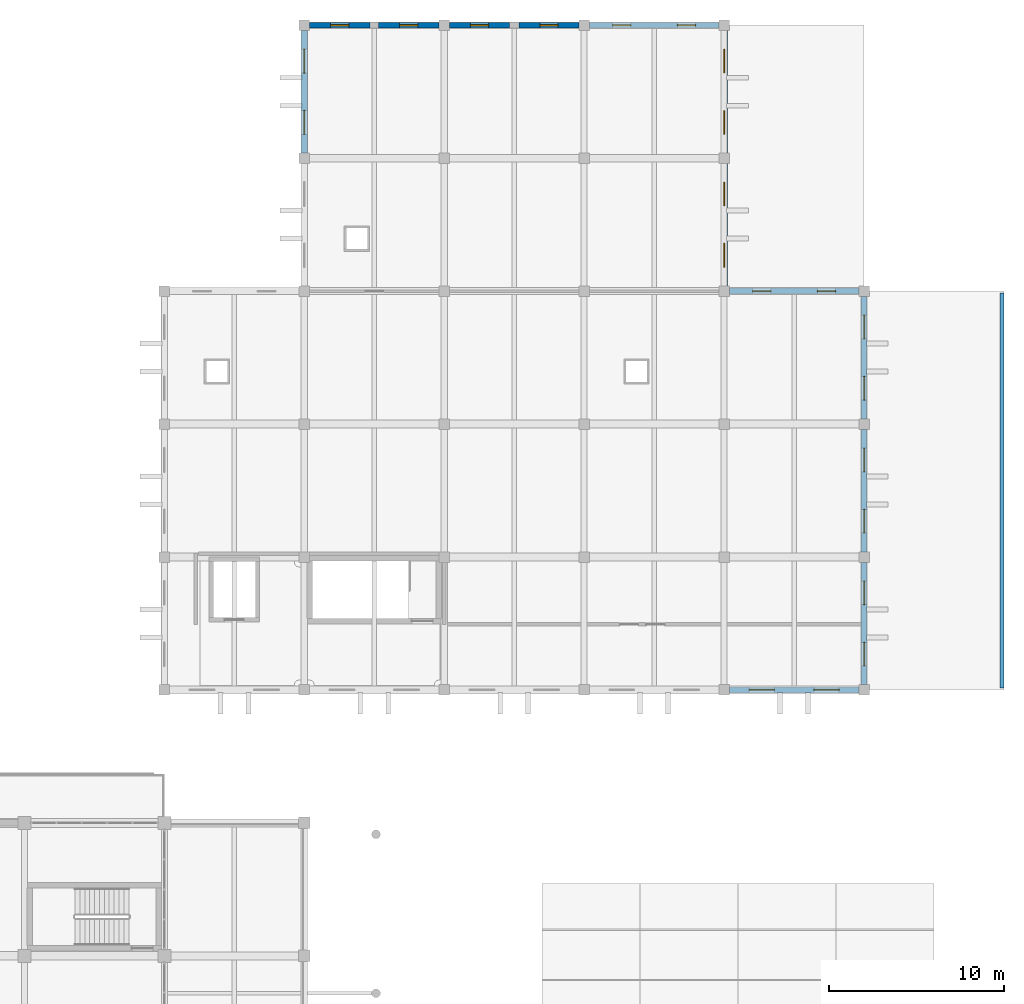
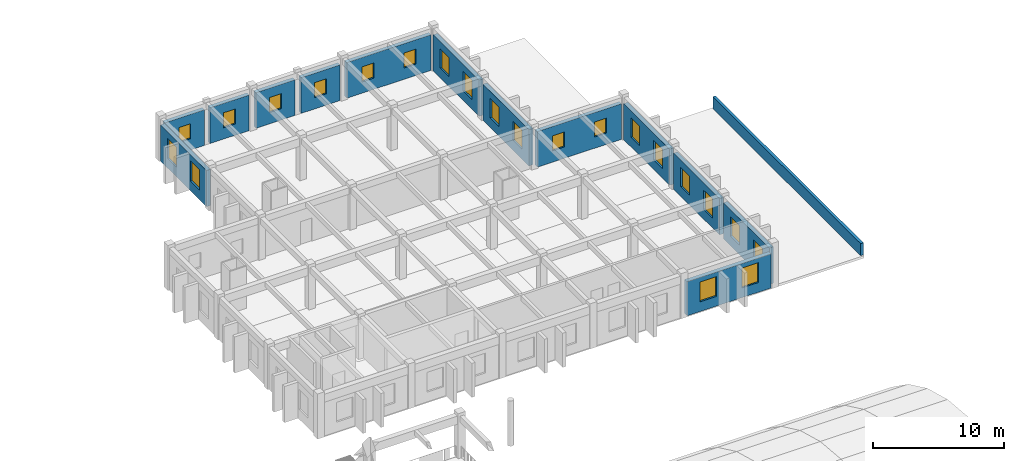
# One storey, part 42 of 63: 22 windows, 14 walls, 22 openings.
"""IFC4 building model written with IfcOpenShell, lengths in metres."""

from ifc_helpers import new_model, si_unit, direction, frame, frame_2d, origin, place, context, subcontext, project, spatial, rectangle, extrude, material, layer, layer_set, type_object, element, fill, save


model = new_model("IFC4")

# Units and contexts
model_context = context("Model", 3, precision=1e-05, world=origin(), true_north=direction((0.0, 1.0)))
body_context = subcontext(model_context, "Body", "Model", "MODEL_VIEW")
ifc_project = project(units=[si_unit("LENGTHUNIT", "METRE"), si_unit("AREAUNIT", "SQUARE_METRE"), si_unit("VOLUMEUNIT", "CUBIC_METRE"), si_unit("PLANEANGLEUNIT", "RADIAN"), si_unit("MASSUNIT", "GRAM", prefix="KILO")], contexts=[model_context])

# Site, building, storey
site_placement = place(None, origin())
site = spatial("IfcSite", under=ifc_project, at=site_placement, CompositionType="ELEMENT")
building_placement = place(site_placement, origin())
building = spatial("IfcBuilding", under=site, at=building_placement, Name="Zantavel Square City Hall", CompositionType="ELEMENT")
storey_placement = place(building_placement, frame((0.0, 0.0, 14.699951171875)))
storey = spatial("IfcBuildingStorey", under=building, at=storey_placement, Name="L04", CompositionType="ELEMENT", Elevation=14.699951171875)

# Wall
ifc_material_1 = material(Name="Cantera volcanic tuff stone", Category="masonry")
ifc_layer_1 = layer(ifc_material_1, 0.239990234375, Name="Cantera volcanic tuff stone")
ifc_layer_set_1 = layer_set([ifc_layer_1], Name="Cantera volcanic tuff stone")
wall_type_1 = type_object("IfcWallType", Name="Cantera Wing Roof Parapet 240mm", PredefinedType="PARAPET", material=ifc_layer_set_1)
wall_1_placement = place(storey_placement, frame((151.8798828125, 76.1201171875, 0.0), z_axis=(0.0, 0.0, 1.0), x_axis=(0.0, 1.0, 0.0)))
element("IfcWall", 1, at=wall_1_placement, inside=storey, type_object=wall_type_1, Name="L04 Roof Parapet Wall 07", PredefinedType="PARAPET", context=body_context, shape_type="SweptSolid", body=[
    extrude(rectangle(XDim=22.559814453125, YDim=0.239990234375, at=frame_2d((11.27978515625, 0.0))), origin(), (0.0, 0.0, 1.0), 1.1201171875),
])

# Wall, openings, windows
ifc_layer_2 = layer(ifc_material_1, 0.360107421875, Name="Cantera volcanic tuff stone")
ifc_layer_set_2 = layer_set([ifc_layer_2], Name="Cantera volcanic tuff stone")
wall_type_2 = type_object("IfcWallType", Name="Courtyard Cantera Facade Wall 360mm", PredefinedType="STANDARD", material=ifc_layer_set_2)
wall_2_placement = place(storey_placement, frame((112.0, 106.699951171875, 0.0), z_axis=(0.0, 0.0, 1.0), x_axis=(0.0, 1.0, 0.0)))
wall_2 = element("IfcWall", 2, at=wall_2_placement, inside=storey, type_object=wall_type_2, Name="L04 Exterior Wall EW-L04-045", PredefinedType="STANDARD", context=body_context, shape_type="SweptSolid", body=[
    extrude(rectangle(XDim=7.0, YDim=0.360107421875, at=frame_2d((3.5, 0.0))), origin(), (0.0, 0.0, 1.0), 3.3701171875),
])
opening_1_placement = place(wall_2_placement, frame((1.06005859375, 0.0, 0.89990234375)))
opening_1 = element("IfcOpeningElement", 3, at=opening_1_placement, cuts=wall_2, Name="Opening W-468", PredefinedType="OPENING", context=body_context, shape_type="SweptSolid", body=[
    extrude(rectangle(XDim=1.3798828125, YDim=1.8798828125, at=frame_2d((0.68994140625, 0.93994140625))), frame((0.0, 0.18994140625, 0.0), z_axis=(0.0, -1.0, 0.0), x_axis=(1.0, 0.0, 0.0)), (0.0, 0.0, 1.0), 0.380126953125),
])
opening_2_placement = place(wall_2_placement, frame((4.56005859375, 0.0, 0.89990234375)))
opening_2 = element("IfcOpeningElement", 4, at=opening_2_placement, cuts=wall_2, Name="Opening W-469", PredefinedType="OPENING", context=body_context, shape_type="SweptSolid", body=[
    extrude(rectangle(XDim=1.3798828125, YDim=1.8798828125, at=frame_2d((0.68994140625, 0.93994140625))), frame((0.0, 0.18994140625, 0.0), z_axis=(0.0, -1.0, 0.0), x_axis=(1.0, 0.0, 0.0)), (0.0, 0.0, 1.0), 0.380126953125),
])
ifc_material_2 = material(Name="Tempered safety glass low-E double glazing", Category="glass")
window_type_1 = type_object("IfcWindowType", Name="Window Legal Counsel 1380x1880", PartitioningType="DOUBLE_PANEL_VERTICAL", PredefinedType="WINDOW", material=ifc_material_2)
window_1_placement = place(opening_1_placement, origin())
window_1 = element("IfcWindow", 5, at=window_1_placement, inside=storey, type_object=window_type_1, Name="L04 Window W-468", OverallHeight=1.8798828125, OverallWidth=1.3798828125, PartitioningType="DOUBLE_PANEL_VERTICAL", PredefinedType="WINDOW", context=body_context, shape_type="SweptSolid", body=[
    extrude(rectangle(XDim=1.3798828125, YDim=1.8798828125, at=frame_2d((0.68994140625, 0.93994140625))), frame((0.0, 0.030029296875, 0.0), z_axis=(0.0, -1.0, 0.0), x_axis=(1.0, 0.0, 0.0)), (0.0, 0.0, 1.0), 0.06005859375),
])
fill(opening_1, window_1)
window_2_placement = place(opening_2_placement, origin())
window_2 = element("IfcWindow", 6, at=window_2_placement, inside=storey, type_object=window_type_1, Name="L04 Window W-469", OverallHeight=1.8798828125, OverallWidth=1.3798828125, PartitioningType="DOUBLE_PANEL_VERTICAL", PredefinedType="WINDOW", context=body_context, shape_type="SweptSolid", body=[
    extrude(rectangle(XDim=1.3798828125, YDim=1.8798828125, at=frame_2d((0.68994140625, 0.93994140625))), frame((0.0, 0.030029296875, 0.0), z_axis=(0.0, -1.0, 0.0), x_axis=(1.0, 0.0, 0.0)), (0.0, 0.0, 1.0), 0.06005859375),
])
fill(opening_2, window_2)

wall_3_placement = place(storey_placement, frame((136.0, 113.699951171875, 0.0), z_axis=(0.0, 0.0, 1.0), x_axis=(0.0, -1.0, 0.0)))
wall_3 = element("IfcWall", 7, at=wall_3_placement, inside=storey, type_object=wall_type_2, Name="L04 Exterior Wall EW-L04-051", PredefinedType="STANDARD", context=body_context, shape_type="SweptSolid", body=[
    extrude(rectangle(XDim=7.0, YDim=0.360107421875, at=frame_2d((3.5, 0.0))), origin(), (0.0, 0.0, 1.0), 3.3701171875),
])
opening_3_placement = place(wall_3_placement, frame((1.074951171875, 0.0, 0.89990234375)))
opening_3 = element("IfcOpeningElement", 8, at=opening_3_placement, cuts=wall_3, Name="Opening W-476", PredefinedType="OPENING", context=body_context, shape_type="SweptSolid", body=[
    extrude(rectangle(XDim=1.35009765625, YDim=1.800048828125, at=frame_2d((0.675048828125, 0.89990234375))), frame((0.0, 0.18994140625, 0.0), z_axis=(0.0, -1.0, 0.0), x_axis=(1.0, 0.0, 0.0)), (0.0, 0.0, 1.0), 0.380126953125),
])
opening_4_placement = place(wall_3_placement, frame((4.574951171875, 0.0, 0.89990234375)))
opening_4 = element("IfcOpeningElement", 9, at=opening_4_placement, cuts=wall_3, Name="Opening W-477", PredefinedType="OPENING", context=body_context, shape_type="SweptSolid", body=[
    extrude(rectangle(XDim=1.35009765625, YDim=1.800048828125, at=frame_2d((0.675048828125, 0.89990234375))), frame((0.0, 0.18994140625, 0.0), z_axis=(0.0, -1.0, 0.0), x_axis=(1.0, 0.0, 0.0)), (0.0, 0.0, 1.0), 0.380126953125),
])
window_type_2 = type_object("IfcWindowType", Name="Window Comptroller East 1350x1800", PartitioningType="DOUBLE_PANEL_HORIZONTAL", PredefinedType="WINDOW", material=ifc_material_2)
window_3_placement = place(opening_3_placement, origin())
window_3 = element("IfcWindow", 10, at=window_3_placement, inside=storey, type_object=window_type_2, Name="L04 Window W-476", OverallHeight=1.800048828125, OverallWidth=1.35009765625, PartitioningType="DOUBLE_PANEL_HORIZONTAL", PredefinedType="WINDOW", context=body_context, shape_type="SweptSolid", body=[
    extrude(rectangle(XDim=1.35009765625, YDim=1.800048828125, at=frame_2d((0.675048828125, 0.89990234375))), frame((0.0, 0.030029296875, 0.0), z_axis=(0.0, -1.0, 0.0), x_axis=(1.0, 0.0, 0.0)), (0.0, 0.0, 1.0), 0.06005859375),
])
fill(opening_3, window_3)
window_4_placement = place(opening_4_placement, origin())
window_4 = element("IfcWindow", 11, at=window_4_placement, inside=storey, type_object=window_type_2, Name="L04 Window W-477", OverallHeight=1.800048828125, OverallWidth=1.35009765625, PartitioningType="DOUBLE_PANEL_HORIZONTAL", PredefinedType="WINDOW", context=body_context, shape_type="SweptSolid", body=[
    extrude(rectangle(XDim=1.35009765625, YDim=1.800048828125, at=frame_2d((0.675048828125, 0.89990234375))), frame((0.0, 0.030029296875, 0.0), z_axis=(0.0, -1.0, 0.0), x_axis=(1.0, 0.0, 0.0)), (0.0, 0.0, 1.0), 0.06005859375),
])
fill(opening_4, window_4)

wall_4_placement = place(storey_placement, frame((136.0, 106.10009765625, 0.0), z_axis=(0.0, 0.0, 1.0), x_axis=(0.0, -1.0, 0.0)))
wall_4 = element("IfcWall", 12, at=wall_4_placement, inside=storey, type_object=wall_type_2, Name="L04 Exterior Wall EW-L04-052", PredefinedType="STANDARD", context=body_context, shape_type="SweptSolid", body=[
    extrude(rectangle(XDim=7.0, YDim=0.360107421875, at=frame_2d((3.5, 0.0))), origin(), (0.0, 0.0, 1.0), 3.3701171875),
])
opening_5_placement = place(wall_4_placement, frame((1.074951171875, 0.0, 0.89990234375)))
opening_5 = element("IfcOpeningElement", 13, at=opening_5_placement, cuts=wall_4, Name="Opening W-478", PredefinedType="OPENING", context=body_context, shape_type="SweptSolid", body=[
    extrude(rectangle(XDim=1.35009765625, YDim=1.800048828125, at=frame_2d((0.675048828125, 0.89990234375))), frame((0.0, 0.18994140625, 0.0), z_axis=(0.0, -1.0, 0.0), x_axis=(1.0, 0.0, 0.0)), (0.0, 0.0, 1.0), 0.380126953125),
])
opening_6_placement = place(wall_4_placement, frame((4.574951171875, 0.0, 0.89990234375)))
opening_6 = element("IfcOpeningElement", 14, at=opening_6_placement, cuts=wall_4, Name="Opening W-479", PredefinedType="OPENING", context=body_context, shape_type="SweptSolid", body=[
    extrude(rectangle(XDim=1.35009765625, YDim=1.800048828125, at=frame_2d((0.675048828125, 0.89990234375))), frame((0.0, 0.18994140625, 0.0), z_axis=(0.0, -1.0, 0.0), x_axis=(1.0, 0.0, 0.0)), (0.0, 0.0, 1.0), 0.380126953125),
])
window_5_placement = place(opening_5_placement, origin())
window_5 = element("IfcWindow", 15, at=window_5_placement, inside=storey, type_object=window_type_2, Name="L04 Window W-478", OverallHeight=1.800048828125, OverallWidth=1.35009765625, PartitioningType="DOUBLE_PANEL_HORIZONTAL", PredefinedType="WINDOW", context=body_context, shape_type="SweptSolid", body=[
    extrude(rectangle(XDim=1.35009765625, YDim=1.800048828125, at=frame_2d((0.675048828125, 0.89990234375))), frame((0.0, 0.030029296875, 0.0), z_axis=(0.0, -1.0, 0.0), x_axis=(1.0, 0.0, 0.0)), (0.0, 0.0, 1.0), 0.06005859375),
])
fill(opening_5, window_5)
window_6_placement = place(opening_6_placement, origin())
window_6 = element("IfcWindow", 16, at=window_6_placement, inside=storey, type_object=window_type_2, Name="L04 Window W-479", OverallHeight=1.800048828125, OverallWidth=1.35009765625, PartitioningType="DOUBLE_PANEL_HORIZONTAL", PredefinedType="WINDOW", context=body_context, shape_type="SweptSolid", body=[
    extrude(rectangle(XDim=1.35009765625, YDim=1.800048828125, at=frame_2d((0.675048828125, 0.89990234375))), frame((0.0, 0.030029296875, 0.0), z_axis=(0.0, -1.0, 0.0), x_axis=(1.0, 0.0, 0.0)), (0.0, 0.0, 1.0), 0.06005859375),
])
fill(opening_6, window_6)

wall_5_placement = place(storey_placement, frame((144.0, 98.5, 0.0), z_axis=(0.0, 0.0, 1.0), x_axis=(0.0, -1.0, 0.0)))
wall_5 = element("IfcWall", 17, at=wall_5_placement, inside=storey, type_object=wall_type_2, Name="L04 Exterior Wall EW-L04-054", PredefinedType="STANDARD", context=body_context, shape_type="SweptSolid", body=[
    extrude(rectangle(XDim=7.0, YDim=0.360107421875, at=frame_2d((3.5, 0.0))), origin(), (0.0, 0.0, 1.0), 3.3701171875),
])
opening_7_placement = place(wall_5_placement, frame((1.074951171875, 0.0, 0.89990234375)))
opening_7 = element("IfcOpeningElement", 18, at=opening_7_placement, cuts=wall_5, Name="Opening W-482", PredefinedType="OPENING", context=body_context, shape_type="SweptSolid", body=[
    extrude(rectangle(XDim=1.35009765625, YDim=1.800048828125, at=frame_2d((0.675048828125, 0.89990234375))), frame((0.0, 0.18994140625, 0.0), z_axis=(0.0, -1.0, 0.0), x_axis=(1.0, 0.0, 0.0)), (0.0, 0.0, 1.0), 0.380126953125),
])
opening_8_placement = place(wall_5_placement, frame((4.574951171875, 0.0, 0.89990234375)))
opening_8 = element("IfcOpeningElement", 19, at=opening_8_placement, cuts=wall_5, Name="Opening W-483", PredefinedType="OPENING", context=body_context, shape_type="SweptSolid", body=[
    extrude(rectangle(XDim=1.35009765625, YDim=1.800048828125, at=frame_2d((0.675048828125, 0.89990234375))), frame((0.0, 0.18994140625, 0.0), z_axis=(0.0, -1.0, 0.0), x_axis=(1.0, 0.0, 0.0)), (0.0, 0.0, 1.0), 0.380126953125),
])
window_7_placement = place(opening_7_placement, origin())
window_7 = element("IfcWindow", 20, at=window_7_placement, inside=storey, type_object=window_type_2, Name="L04 Window W-482", OverallHeight=1.800048828125, OverallWidth=1.35009765625, PartitioningType="DOUBLE_PANEL_HORIZONTAL", PredefinedType="WINDOW", context=body_context, shape_type="SweptSolid", body=[
    extrude(rectangle(XDim=1.35009765625, YDim=1.800048828125, at=frame_2d((0.675048828125, 0.89990234375))), frame((0.0, 0.030029296875, 0.0), z_axis=(0.0, -1.0, 0.0), x_axis=(1.0, 0.0, 0.0)), (0.0, 0.0, 1.0), 0.06005859375),
])
fill(opening_7, window_7)
window_8_placement = place(opening_8_placement, origin())
window_8 = element("IfcWindow", 21, at=window_8_placement, inside=storey, type_object=window_type_2, Name="L04 Window W-483", OverallHeight=1.800048828125, OverallWidth=1.35009765625, PartitioningType="DOUBLE_PANEL_HORIZONTAL", PredefinedType="WINDOW", context=body_context, shape_type="SweptSolid", body=[
    extrude(rectangle(XDim=1.35009765625, YDim=1.800048828125, at=frame_2d((0.675048828125, 0.89990234375))), frame((0.0, 0.030029296875, 0.0), z_axis=(0.0, -1.0, 0.0), x_axis=(1.0, 0.0, 0.0)), (0.0, 0.0, 1.0), 0.06005859375),
])
fill(opening_8, window_8)

wall_6_placement = place(storey_placement, frame((144.0, 90.89990234375, 0.0), z_axis=(0.0, 0.0, 1.0), x_axis=(0.0, -1.0, 0.0)))
wall_6 = element("IfcWall", 22, at=wall_6_placement, inside=storey, type_object=wall_type_2, Name="L04 Exterior Wall EW-L04-055", PredefinedType="STANDARD", context=body_context, shape_type="SweptSolid", body=[
    extrude(rectangle(XDim=7.0, YDim=0.360107421875, at=frame_2d((3.5, 0.0))), origin(), (0.0, 0.0, 1.0), 3.3701171875),
])
opening_9_placement = place(wall_6_placement, frame((1.074951171875, 0.0, 0.89990234375)))
opening_9 = element("IfcOpeningElement", 23, at=opening_9_placement, cuts=wall_6, Name="Opening W-484", PredefinedType="OPENING", context=body_context, shape_type="SweptSolid", body=[
    extrude(rectangle(XDim=1.35009765625, YDim=1.800048828125, at=frame_2d((0.675048828125, 0.89990234375))), frame((0.0, 0.18994140625, 0.0), z_axis=(0.0, -1.0, 0.0), x_axis=(1.0, 0.0, 0.0)), (0.0, 0.0, 1.0), 0.380126953125),
])
opening_10_placement = place(wall_6_placement, frame((4.574951171875, 0.0, 0.89990234375)))
opening_10 = element("IfcOpeningElement", 24, at=opening_10_placement, cuts=wall_6, Name="Opening W-485", PredefinedType="OPENING", context=body_context, shape_type="SweptSolid", body=[
    extrude(rectangle(XDim=1.35009765625, YDim=1.800048828125, at=frame_2d((0.675048828125, 0.89990234375))), frame((0.0, 0.18994140625, 0.0), z_axis=(0.0, -1.0, 0.0), x_axis=(1.0, 0.0, 0.0)), (0.0, 0.0, 1.0), 0.380126953125),
])
window_9_placement = place(opening_9_placement, origin())
window_9 = element("IfcWindow", 25, at=window_9_placement, inside=storey, type_object=window_type_2, Name="L04 Window W-484", OverallHeight=1.800048828125, OverallWidth=1.35009765625, PartitioningType="DOUBLE_PANEL_HORIZONTAL", PredefinedType="WINDOW", context=body_context, shape_type="SweptSolid", body=[
    extrude(rectangle(XDim=1.35009765625, YDim=1.800048828125, at=frame_2d((0.675048828125, 0.89990234375))), frame((0.0, 0.030029296875, 0.0), z_axis=(0.0, -1.0, 0.0), x_axis=(1.0, 0.0, 0.0)), (0.0, 0.0, 1.0), 0.06005859375),
])
fill(opening_9, window_9)
window_10_placement = place(opening_10_placement, origin())
window_10 = element("IfcWindow", 26, at=window_10_placement, inside=storey, type_object=window_type_2, Name="L04 Window W-485", OverallHeight=1.800048828125, OverallWidth=1.35009765625, PartitioningType="DOUBLE_PANEL_HORIZONTAL", PredefinedType="WINDOW", context=body_context, shape_type="SweptSolid", body=[
    extrude(rectangle(XDim=1.35009765625, YDim=1.800048828125, at=frame_2d((0.675048828125, 0.89990234375))), frame((0.0, 0.030029296875, 0.0), z_axis=(0.0, -1.0, 0.0), x_axis=(1.0, 0.0, 0.0)), (0.0, 0.0, 1.0), 0.06005859375),
])
fill(opening_10, window_10)

wall_7_placement = place(storey_placement, frame((144.0, 83.300048828125, 0.0), z_axis=(0.0, 0.0, 1.0), x_axis=(0.0, -1.0, 0.0)))
wall_7 = element("IfcWall", 27, at=wall_7_placement, inside=storey, type_object=wall_type_2, Name="L04 Exterior Wall EW-L04-056", PredefinedType="STANDARD", context=body_context, shape_type="SweptSolid", body=[
    extrude(rectangle(XDim=7.0, YDim=0.360107421875, at=frame_2d((3.5, 0.0))), origin(), (0.0, 0.0, 1.0), 3.3701171875),
])
opening_11_placement = place(wall_7_placement, frame((1.074951171875, 0.0, 0.89990234375)))
opening_11 = element("IfcOpeningElement", 28, at=opening_11_placement, cuts=wall_7, Name="Opening W-486", PredefinedType="OPENING", context=body_context, shape_type="SweptSolid", body=[
    extrude(rectangle(XDim=1.35009765625, YDim=1.800048828125, at=frame_2d((0.675048828125, 0.89990234375))), frame((0.0, 0.18994140625, 0.0), z_axis=(0.0, -1.0, 0.0), x_axis=(1.0, 0.0, 0.0)), (0.0, 0.0, 1.0), 0.380126953125),
])
opening_12_placement = place(wall_7_placement, frame((4.574951171875, 0.0, 0.89990234375)))
opening_12 = element("IfcOpeningElement", 29, at=opening_12_placement, cuts=wall_7, Name="Opening W-487", PredefinedType="OPENING", context=body_context, shape_type="SweptSolid", body=[
    extrude(rectangle(XDim=1.35009765625, YDim=1.800048828125, at=frame_2d((0.675048828125, 0.89990234375))), frame((0.0, 0.18994140625, 0.0), z_axis=(0.0, -1.0, 0.0), x_axis=(1.0, 0.0, 0.0)), (0.0, 0.0, 1.0), 0.380126953125),
])
window_11_placement = place(opening_11_placement, origin())
window_11 = element("IfcWindow", 30, at=window_11_placement, inside=storey, type_object=window_type_2, Name="L04 Window W-486", OverallHeight=1.800048828125, OverallWidth=1.35009765625, PartitioningType="DOUBLE_PANEL_HORIZONTAL", PredefinedType="WINDOW", context=body_context, shape_type="SweptSolid", body=[
    extrude(rectangle(XDim=1.35009765625, YDim=1.800048828125, at=frame_2d((0.675048828125, 0.89990234375))), frame((0.0, 0.030029296875, 0.0), z_axis=(0.0, -1.0, 0.0), x_axis=(1.0, 0.0, 0.0)), (0.0, 0.0, 1.0), 0.06005859375),
])
fill(opening_11, window_11)
window_12_placement = place(opening_12_placement, origin())
window_12 = element("IfcWindow", 31, at=window_12_placement, inside=storey, type_object=window_type_2, Name="L04 Window W-487", OverallHeight=1.800048828125, OverallWidth=1.35009765625, PartitioningType="DOUBLE_PANEL_HORIZONTAL", PredefinedType="WINDOW", context=body_context, shape_type="SweptSolid", body=[
    extrude(rectangle(XDim=1.35009765625, YDim=1.800048828125, at=frame_2d((0.675048828125, 0.89990234375))), frame((0.0, 0.030029296875, 0.0), z_axis=(0.0, -1.0, 0.0), x_axis=(1.0, 0.0, 0.0)), (0.0, 0.0, 1.0), 0.06005859375),
])
fill(opening_12, window_12)

wall_8_placement = place(storey_placement, frame((143.699951171875, 76.0, 0.0), z_axis=(0.0, 0.0, 1.0), x_axis=(-1.0, 0.0, 0.0)))
wall_8 = element("IfcWall", 32, at=wall_8_placement, inside=storey, type_object=wall_type_2, Name="L04 Exterior Wall EW-L04-057", PredefinedType="STANDARD", context=body_context, shape_type="SweptSolid", body=[
    extrude(rectangle(XDim=7.39990234375, YDim=0.360107421875, at=frame_2d((3.699951171875, 0.0))), origin(), (0.0, 0.0, 1.0), 3.170166015625),
])
opening_13_placement = place(wall_8_placement, frame((1.125, 0.0, 0.89990234375)))
opening_13 = element("IfcOpeningElement", 33, at=opening_13_placement, cuts=wall_8, Name="Opening W-488", PredefinedType="OPENING", context=body_context, shape_type="SweptSolid", body=[
    extrude(rectangle(XDim=1.449951171875, YDim=1.85009765625, at=frame_2d((0.72509765625, 0.925048828125))), frame((0.0, 0.18994140625, 0.0), z_axis=(0.0, -1.0, 0.0), x_axis=(1.0, 0.0, 0.0)), (0.0, 0.0, 1.0), 0.380126953125),
])
opening_14_placement = place(wall_8_placement, frame((4.824951171875, 0.0, 0.89990234375)))
opening_14 = element("IfcOpeningElement", 34, at=opening_14_placement, cuts=wall_8, Name="Opening W-489", PredefinedType="OPENING", context=body_context, shape_type="SweptSolid", body=[
    extrude(rectangle(XDim=1.449951171875, YDim=1.85009765625, at=frame_2d((0.72509765625, 0.925048828125))), frame((0.0, 0.18994140625, 0.0), z_axis=(0.0, -1.0, 0.0), x_axis=(1.0, 0.0, 0.0)), (0.0, 0.0, 1.0), 0.380126953125),
])
window_type_3 = type_object("IfcWindowType", Name="Window Secretariat South 1450x1850", PartitioningType="DOUBLE_PANEL_VERTICAL", PredefinedType="WINDOW", material=ifc_material_2)
window_13_placement = place(opening_13_placement, origin())
window_13 = element("IfcWindow", 35, at=window_13_placement, inside=storey, type_object=window_type_3, Name="L04 Window W-488", OverallHeight=1.85009765625, OverallWidth=1.449951171875, PartitioningType="DOUBLE_PANEL_VERTICAL", PredefinedType="WINDOW", context=body_context, shape_type="SweptSolid", body=[
    extrude(rectangle(XDim=1.449951171875, YDim=1.85009765625, at=frame_2d((0.72509765625, 0.925048828125))), frame((0.0, 0.030029296875, 0.0), z_axis=(0.0, -1.0, 0.0), x_axis=(1.0, 0.0, 0.0)), (0.0, 0.0, 1.0), 0.06005859375),
])
fill(opening_13, window_13)
window_14_placement = place(opening_14_placement, origin())
window_14 = element("IfcWindow", 36, at=window_14_placement, inside=storey, type_object=window_type_3, Name="L04 Window W-489", OverallHeight=1.85009765625, OverallWidth=1.449951171875, PartitioningType="DOUBLE_PANEL_VERTICAL", PredefinedType="WINDOW", context=body_context, shape_type="SweptSolid", body=[
    extrude(rectangle(XDim=1.449951171875, YDim=1.85009765625, at=frame_2d((0.72509765625, 0.925048828125))), frame((0.0, 0.030029296875, 0.0), z_axis=(0.0, -1.0, 0.0), x_axis=(1.0, 0.0, 0.0)), (0.0, 0.0, 1.0), 0.06005859375),
])
fill(opening_14, window_14)

# Wall, opening, window
ifc_layer_3 = layer(ifc_material_1, 0.340087890625, Name="Cantera volcanic tuff stone")
ifc_layer_set_3 = layer_set([ifc_layer_3], Name="Cantera volcanic tuff stone")
wall_type_3 = type_object("IfcWallType", Name="North Insulated Cantera Wall 340mm", PredefinedType="STANDARD", material=ifc_layer_set_3)
wall_9_placement = place(storey_placement, frame((112.300048828125, 114.0, 0.0), z_axis=(0.0, 0.0, 1.0), x_axis=(1.0, 0.0, 0.0)))
wall_9 = element("IfcWall", 37, at=wall_9_placement, inside=storey, type_object=wall_type_3, Name="L04 Exterior Wall EW-L04-046", PredefinedType="STANDARD", context=body_context, shape_type="SweptSolid", body=[
    extrude(rectangle(XDim=3.449951171875, YDim=0.340087890625, at=frame_2d((1.72509765625, 0.0))), origin(), (0.0, 0.0, 1.0), 3.320068359375),
])
opening_15_placement = place(wall_9_placement, frame((1.199951171875, 0.0, 1.050048828125)))
opening_15 = element("IfcOpeningElement", 38, at=opening_15_placement, cuts=wall_9, Name="Opening W-470", PredefinedType="OPENING", context=body_context, shape_type="SweptSolid", body=[
    extrude(rectangle(XDim=1.050048828125, YDim=1.39990234375, at=frame_2d((0.52490234375, 0.699951171875))), frame((0.0, 0.179931640625, 0.0), z_axis=(0.0, -1.0, 0.0), x_axis=(1.0, 0.0, 0.0)), (0.0, 0.0, 1.0), 0.360107421875),
])
window_type_4 = type_object("IfcWindowType", Name="Window C4 Command North 1050x1400", PartitioningType="SINGLE_PANEL", PredefinedType="WINDOW", material=ifc_material_2)
window_15_placement = place(opening_15_placement, origin())
window_15 = element("IfcWindow", 39, at=window_15_placement, inside=storey, type_object=window_type_4, Name="L04 Window W-470", OverallHeight=1.39990234375, OverallWidth=1.050048828125, PartitioningType="SINGLE_PANEL", PredefinedType="WINDOW", context=body_context, shape_type="SweptSolid", body=[
    extrude(rectangle(XDim=1.050048828125, YDim=1.39990234375, at=frame_2d((0.52490234375, 0.699951171875))), frame((0.0, 0.030029296875, 0.0), z_axis=(0.0, -1.0, 0.0), x_axis=(1.0, 0.0, 0.0)), (0.0, 0.0, 1.0), 0.06005859375),
])
fill(opening_15, window_15)

wall_10_placement = place(storey_placement, frame((116.25, 114.0, 0.0), z_axis=(0.0, 0.0, 1.0), x_axis=(1.0, 0.0, 0.0)))
wall_10 = element("IfcWall", 40, at=wall_10_placement, inside=storey, type_object=wall_type_3, Name="L04 Exterior Wall EW-L04-047", PredefinedType="STANDARD", context=body_context, shape_type="SweptSolid", body=[
    extrude(rectangle(XDim=3.449951171875, YDim=0.340087890625, at=frame_2d((1.72509765625, 0.0))), origin(), (0.0, 0.0, 1.0), 3.320068359375),
])
opening_16_placement = place(wall_10_placement, frame((1.199951171875, 0.0, 1.050048828125)))
opening_16 = element("IfcOpeningElement", 41, at=opening_16_placement, cuts=wall_10, Name="Opening W-471", PredefinedType="OPENING", context=body_context, shape_type="SweptSolid", body=[
    extrude(rectangle(XDim=1.050048828125, YDim=1.39990234375, at=frame_2d((0.52490234375, 0.699951171875))), frame((0.0, 0.179931640625, 0.0), z_axis=(0.0, -1.0, 0.0), x_axis=(1.0, 0.0, 0.0)), (0.0, 0.0, 1.0), 0.360107421875),
])
window_16_placement = place(opening_16_placement, origin())
window_16 = element("IfcWindow", 42, at=window_16_placement, inside=storey, type_object=window_type_4, Name="L04 Window W-471", OverallHeight=1.39990234375, OverallWidth=1.050048828125, PartitioningType="SINGLE_PANEL", PredefinedType="WINDOW", context=body_context, shape_type="SweptSolid", body=[
    extrude(rectangle(XDim=1.050048828125, YDim=1.39990234375, at=frame_2d((0.52490234375, 0.699951171875))), frame((0.0, 0.030029296875, 0.0), z_axis=(0.0, -1.0, 0.0), x_axis=(1.0, 0.0, 0.0)), (0.0, 0.0, 1.0), 0.06005859375),
])
fill(opening_16, window_16)

wall_11_placement = place(storey_placement, frame((120.300048828125, 114.0, 0.0), z_axis=(0.0, 0.0, 1.0), x_axis=(1.0, 0.0, 0.0)))
wall_11 = element("IfcWall", 43, at=wall_11_placement, inside=storey, type_object=wall_type_3, Name="L04 Exterior Wall EW-L04-048", PredefinedType="STANDARD", context=body_context, shape_type="SweptSolid", body=[
    extrude(rectangle(XDim=3.425048828125, YDim=0.340087890625, at=frame_2d((1.71240234375, 0.0))), origin(), (0.0, 0.0, 1.0), 3.320068359375),
])
opening_17_placement = place(wall_11_placement, frame((1.1875, 0.0, 1.050048828125)))
opening_17 = element("IfcOpeningElement", 44, at=opening_17_placement, cuts=wall_11, Name="Opening W-472", PredefinedType="OPENING", context=body_context, shape_type="SweptSolid", body=[
    extrude(rectangle(XDim=1.050048828125, YDim=1.39990234375, at=frame_2d((0.52490234375, 0.699951171875))), frame((0.0, 0.179931640625, 0.0), z_axis=(0.0, -1.0, 0.0), x_axis=(1.0, 0.0, 0.0)), (0.0, 0.0, 1.0), 0.360107421875),
])
window_17_placement = place(opening_17_placement, origin())
window_17 = element("IfcWindow", 45, at=window_17_placement, inside=storey, type_object=window_type_4, Name="L04 Window W-472", OverallHeight=1.39990234375, OverallWidth=1.050048828125, PartitioningType="SINGLE_PANEL", PredefinedType="WINDOW", context=body_context, shape_type="SweptSolid", body=[
    extrude(rectangle(XDim=1.050048828125, YDim=1.39990234375, at=frame_2d((0.52490234375, 0.699951171875))), frame((0.0, 0.030029296875, 0.0), z_axis=(0.0, -1.0, 0.0), x_axis=(1.0, 0.0, 0.0)), (0.0, 0.0, 1.0), 0.06005859375),
])
fill(opening_17, window_17)

wall_12_placement = place(storey_placement, frame((124.27490234375, 114.0, 0.0), z_axis=(0.0, 0.0, 1.0), x_axis=(1.0, 0.0, 0.0)))
wall_12 = element("IfcWall", 46, at=wall_12_placement, inside=storey, type_object=wall_type_3, Name="L04 Exterior Wall EW-L04-049", PredefinedType="STANDARD", context=body_context, shape_type="SweptSolid", body=[
    extrude(rectangle(XDim=3.425048828125, YDim=0.340087890625, at=frame_2d((1.71240234375, 0.0))), origin(), (0.0, 0.0, 1.0), 3.320068359375),
])
opening_18_placement = place(wall_12_placement, frame((1.1875, 0.0, 1.050048828125)))
opening_18 = element("IfcOpeningElement", 47, at=opening_18_placement, cuts=wall_12, Name="Opening W-473", PredefinedType="OPENING", context=body_context, shape_type="SweptSolid", body=[
    extrude(rectangle(XDim=1.050048828125, YDim=1.39990234375, at=frame_2d((0.52490234375, 0.699951171875))), frame((0.0, 0.179931640625, 0.0), z_axis=(0.0, -1.0, 0.0), x_axis=(1.0, 0.0, 0.0)), (0.0, 0.0, 1.0), 0.360107421875),
])
window_18_placement = place(opening_18_placement, origin())
window_18 = element("IfcWindow", 48, at=window_18_placement, inside=storey, type_object=window_type_4, Name="L04 Window W-473", OverallHeight=1.39990234375, OverallWidth=1.050048828125, PartitioningType="SINGLE_PANEL", PredefinedType="WINDOW", context=body_context, shape_type="SweptSolid", body=[
    extrude(rectangle(XDim=1.050048828125, YDim=1.39990234375, at=frame_2d((0.52490234375, 0.699951171875))), frame((0.0, 0.030029296875, 0.0), z_axis=(0.0, -1.0, 0.0), x_axis=(1.0, 0.0, 0.0)), (0.0, 0.0, 1.0), 0.06005859375),
])
fill(opening_18, window_18)

# Wall, openings, windows
wall_13_placement = place(storey_placement, frame((128.300048828125, 114.0, 0.0), z_axis=(0.0, 0.0, 1.0), x_axis=(1.0, 0.0, 0.0)))
wall_13 = element("IfcWall", 49, at=wall_13_placement, inside=storey, type_object=wall_type_3, Name="L04 Exterior Wall EW-L04-050", PredefinedType="STANDARD", context=body_context, shape_type="SweptSolid", body=[
    extrude(rectangle(XDim=7.39990234375, YDim=0.340087890625, at=frame_2d((3.699951171875, 0.0))), origin(), (0.0, 0.0, 1.0), 3.320068359375),
])
opening_19_placement = place(wall_13_placement, frame((1.324951171875, 0.0, 1.050048828125)))
opening_19 = element("IfcOpeningElement", 50, at=opening_19_placement, cuts=wall_13, Name="Opening W-474", PredefinedType="OPENING", context=body_context, shape_type="SweptSolid", body=[
    extrude(rectangle(XDim=1.050048828125, YDim=1.39990234375, at=frame_2d((0.52490234375, 0.699951171875))), frame((0.0, 0.179931640625, 0.0), z_axis=(0.0, -1.0, 0.0), x_axis=(1.0, 0.0, 0.0)), (0.0, 0.0, 1.0), 0.360107421875),
])
opening_20_placement = place(wall_13_placement, frame((5.02490234375, 0.0, 1.050048828125)))
opening_20 = element("IfcOpeningElement", 51, at=opening_20_placement, cuts=wall_13, Name="Opening W-475", PredefinedType="OPENING", context=body_context, shape_type="SweptSolid", body=[
    extrude(rectangle(XDim=1.050048828125, YDim=1.39990234375, at=frame_2d((0.52490234375, 0.699951171875))), frame((0.0, 0.179931640625, 0.0), z_axis=(0.0, -1.0, 0.0), x_axis=(1.0, 0.0, 0.0)), (0.0, 0.0, 1.0), 0.360107421875),
])
window_19_placement = place(opening_19_placement, origin())
window_19 = element("IfcWindow", 52, at=window_19_placement, inside=storey, type_object=window_type_4, Name="L04 Window W-474", OverallHeight=1.39990234375, OverallWidth=1.050048828125, PartitioningType="SINGLE_PANEL", PredefinedType="WINDOW", context=body_context, shape_type="SweptSolid", body=[
    extrude(rectangle(XDim=1.050048828125, YDim=1.39990234375, at=frame_2d((0.52490234375, 0.699951171875))), frame((0.0, 0.030029296875, 0.0), z_axis=(0.0, -1.0, 0.0), x_axis=(1.0, 0.0, 0.0)), (0.0, 0.0, 1.0), 0.06005859375),
])
fill(opening_19, window_19)
window_20_placement = place(opening_20_placement, origin())
window_20 = element("IfcWindow", 53, at=window_20_placement, inside=storey, type_object=window_type_4, Name="L04 Window W-475", OverallHeight=1.39990234375, OverallWidth=1.050048828125, PartitioningType="SINGLE_PANEL", PredefinedType="WINDOW", context=body_context, shape_type="SweptSolid", body=[
    extrude(rectangle(XDim=1.050048828125, YDim=1.39990234375, at=frame_2d((0.52490234375, 0.699951171875))), frame((0.0, 0.030029296875, 0.0), z_axis=(0.0, -1.0, 0.0), x_axis=(1.0, 0.0, 0.0)), (0.0, 0.0, 1.0), 0.06005859375),
])
fill(opening_20, window_20)

wall_14_placement = place(storey_placement, frame((136.300048828125, 98.800048828125, 0.0), z_axis=(0.0, 0.0, 1.0), x_axis=(1.0, 0.0, 0.0)))
wall_14 = element("IfcWall", 54, at=wall_14_placement, inside=storey, type_object=wall_type_3, Name="L04 Exterior Wall EW-L04-053", PredefinedType="STANDARD", context=body_context, shape_type="SweptSolid", body=[
    extrude(rectangle(XDim=7.39990234375, YDim=0.340087890625, at=frame_2d((3.699951171875, 0.0))), origin(), (0.0, 0.0, 1.0), 3.320068359375),
])
opening_21_placement = place(wall_14_placement, frame((1.324951171875, 0.0, 1.050048828125)))
opening_21 = element("IfcOpeningElement", 55, at=opening_21_placement, cuts=wall_14, Name="Opening W-480", PredefinedType="OPENING", context=body_context, shape_type="SweptSolid", body=[
    extrude(rectangle(XDim=1.050048828125, YDim=1.39990234375, at=frame_2d((0.52490234375, 0.699951171875))), frame((0.0, 0.179931640625, 0.0), z_axis=(0.0, -1.0, 0.0), x_axis=(1.0, 0.0, 0.0)), (0.0, 0.0, 1.0), 0.360107421875),
])
opening_22_placement = place(wall_14_placement, frame((5.02490234375, 0.0, 1.050048828125)))
opening_22 = element("IfcOpeningElement", 56, at=opening_22_placement, cuts=wall_14, Name="Opening W-481", PredefinedType="OPENING", context=body_context, shape_type="SweptSolid", body=[
    extrude(rectangle(XDim=1.050048828125, YDim=1.39990234375, at=frame_2d((0.52490234375, 0.699951171875))), frame((0.0, 0.179931640625, 0.0), z_axis=(0.0, -1.0, 0.0), x_axis=(1.0, 0.0, 0.0)), (0.0, 0.0, 1.0), 0.360107421875),
])
window_21_placement = place(opening_21_placement, origin())
window_21 = element("IfcWindow", 57, at=window_21_placement, inside=storey, type_object=window_type_4, Name="L04 Window W-480", OverallHeight=1.39990234375, OverallWidth=1.050048828125, PartitioningType="SINGLE_PANEL", PredefinedType="WINDOW", context=body_context, shape_type="SweptSolid", body=[
    extrude(rectangle(XDim=1.050048828125, YDim=1.39990234375, at=frame_2d((0.52490234375, 0.699951171875))), frame((0.0, 0.030029296875, 0.0), z_axis=(0.0, -1.0, 0.0), x_axis=(1.0, 0.0, 0.0)), (0.0, 0.0, 1.0), 0.06005859375),
])
fill(opening_21, window_21)
window_22_placement = place(opening_22_placement, origin())
window_22 = element("IfcWindow", 58, at=window_22_placement, inside=storey, type_object=window_type_4, Name="L04 Window W-481", OverallHeight=1.39990234375, OverallWidth=1.050048828125, PartitioningType="SINGLE_PANEL", PredefinedType="WINDOW", context=body_context, shape_type="SweptSolid", body=[
    extrude(rectangle(XDim=1.050048828125, YDim=1.39990234375, at=frame_2d((0.52490234375, 0.699951171875))), frame((0.0, 0.030029296875, 0.0), z_axis=(0.0, -1.0, 0.0), x_axis=(1.0, 0.0, 0.0)), (0.0, 0.0, 1.0), 0.06005859375),
])
fill(opening_22, window_22)

save(model, "model.ifc")
